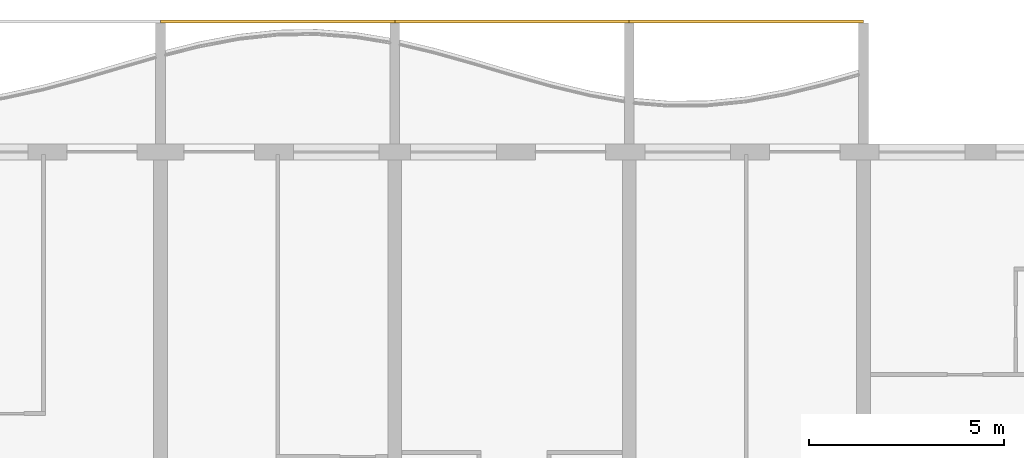
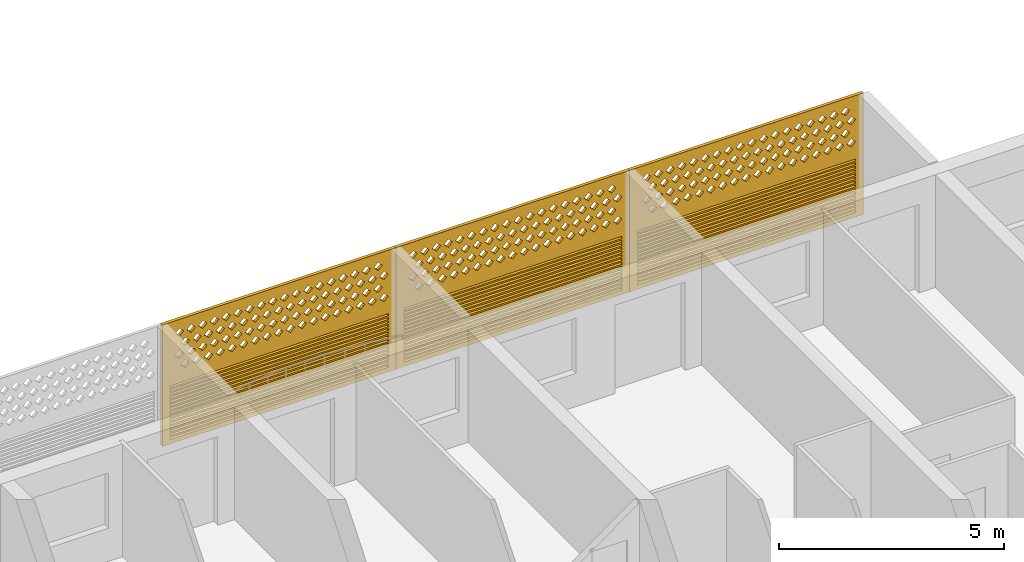
# One storey, part 21 of 27: 3 coverings.
"""IFC4 building model written with IfcOpenShell, lengths in metres."""

import ifcopenshell
import ifcopenshell.guid

model = None  # the IFC model being written
_history = None  # IfcOwnerHistory: only IFC2X3 demands one
_inside = {}  # id of a spatial element -> (the spatial element, [elements in it])
_under = {}  # id of a project, library or spatial element -> (it, [spatial elements below it])
_declared = {}  # id of a project -> (the project, [libraries it declares])
_typed = {}  # id of a type object -> (the type object, [elements of that type])
_made_of = {}  # id of a material, layer set ... -> (it, [elements and type objects made of it])


def new_model(schema):
    """Start an empty IFC model of exactly this schema.

    Asked for "IFC4X3", IfcOpenShell would pick the latest addendum, in which some entities
    have other attributes; the version numbers below select the first issue.
    IFC2X3 requires an IfcOwnerHistory on every rooted entity: one is made here for all.
    """
    global model, _history
    if schema == "IFC4X3":
        model = ifcopenshell.file(schema_version=(4, 3, 0, 0))
    else:
        model = ifcopenshell.file(schema=schema)
    _inside.clear()
    _under.clear()
    _declared.clear()
    _typed.clear()
    _made_of.clear()
    _history = None
    if model.schema == "IFC2X3":
        org = make("IfcOrganization", Name="unknown")
        user = make(
            "IfcPersonAndOrganization",
            ThePerson=make("IfcPerson", FamilyName="unknown"),
            TheOrganization=org,
        )
        app = make(
            "IfcApplication",
            ApplicationDeveloper=org,
            Version="unknown",
            ApplicationFullName="unknown",
            ApplicationIdentifier="unknown",
        )
        _history = make(
            "IfcOwnerHistory",
            OwningUser=user,
            OwningApplication=app,
            ChangeAction="ADDED",
            CreationDate=0,
        )
    return model


def make(cls, **values):
    """One entity of the class cls with the attributes given. An attribute that is None is left unset."""
    return model.create_entity(
        cls, **{name: value for name, value in values.items() if value is not None}
    )


def rooted(cls, **values):
    """An entity with a GlobalId (a new one), such as an element, a storey or a relation."""
    return make(cls, GlobalId=ifcopenshell.guid.new(), OwnerHistory=_history, **values)


def si_unit(unit_type, name, prefix=None):
    """IfcSIUnit, for example si_unit("LENGTHUNIT", "METRE", prefix="MILLI")."""
    return make("IfcSIUnit", UnitType=unit_type, Prefix=prefix, Name=name)


def assignment(units):
    """IfcUnitAssignment: the units of a project."""
    return None if units is None else make("IfcUnitAssignment", Units=units)


def point(xyz):
    """IfcCartesianPoint."""
    return None if xyz is None else make("IfcCartesianPoint", Coordinates=xyz)


def direction(xyz):
    """IfcDirection."""
    return None if xyz is None else make("IfcDirection", DirectionRatios=xyz)


def frame(location, z_axis=None, x_axis=None):
    """IfcAxis2Placement3D, a coordinate frame: its origin and axes. An axis left out is left unset."""
    return make(
        "IfcAxis2Placement3D",
        Location=point(location),
        Axis=direction(z_axis),
        RefDirection=direction(x_axis),
    )


def origin():
    """The frame at (0, 0, 0) with its axes left unset."""
    return frame((0.0, 0.0, 0.0))


def place(relative_to, where):
    """IfcLocalPlacement: puts the frame where relative to a parent placement (None: the world)."""
    return make(
        "IfcLocalPlacement", PlacementRelTo=relative_to, RelativePlacement=where
    )


def context(
    kind, dimensions, precision=None, world=None, true_north=None, identifier=None
):
    """IfcGeometricRepresentationContext, for example the 3D "Model" context."""
    return make(
        "IfcGeometricRepresentationContext",
        ContextIdentifier=identifier,
        ContextType=kind,
        CoordinateSpaceDimension=dimensions,
        Precision=precision,
        WorldCoordinateSystem=world,
        TrueNorth=true_north,
    )


def subcontext(parent, identifier, kind, view, scale=None):
    """IfcGeometricRepresentationSubContext, for example "Body" below "Model"."""
    return make(
        "IfcGeometricRepresentationSubContext",
        ContextIdentifier=identifier,
        ContextType=kind,
        ParentContext=parent,
        TargetScale=scale,
        TargetView=view,
    )


def project(units=None, contexts=None):
    """IfcProject with its units and contexts."""
    return rooted(
        "IfcProject",
        Name="project",
        RepresentationContexts=contexts,
        UnitsInContext=assignment(units),
    )


def spatial(cls, under=None, at=None, **own):
    """A site, building, storey or space (cls), placed at a placement, below another one or the project."""
    s = rooted(cls, ObjectPlacement=at, **own)
    if under is not None:
        _under.setdefault(under.id(), (under, []))[1].append(s)
    return s


def polyline(points):
    """IfcPolyline through the points."""
    return make("IfcPolyline", Points=[point(p) for p in points])


def outline(outer, holes=None, kind="AREA"):
    """IfcArbitraryClosedProfileDef: a profile drawn as a closed curve; with holes, ...WithVoids."""
    if holes is None:
        return make("IfcArbitraryClosedProfileDef", ProfileType=kind, OuterCurve=outer)
    return make(
        "IfcArbitraryProfileDefWithVoids",
        ProfileType=kind,
        OuterCurve=outer,
        InnerCurves=holes,
    )


def extrude(swept, where, along, depth):
    """IfcExtrudedAreaSolid: the profile swept, set in the frame where, extruded along a direction by depth."""
    return make(
        "IfcExtrudedAreaSolid",
        SweptArea=swept,
        Position=where,
        ExtrudedDirection=direction(along),
        Depth=depth,
    )


def shape(context_of_items, identifier, shape_type, items):
    """IfcShapeRepresentation: the items that make up one representation, for example the "Body"."""
    return make(
        "IfcShapeRepresentation",
        ContextOfItems=context_of_items,
        RepresentationIdentifier=identifier,
        RepresentationType=shape_type,
        Items=items,
    )


def source(mapping_origin, context_of_items, identifier, shape_type, items):
    """IfcRepresentationMap: a shape defined once, which mapped items show again and again."""
    return make(
        "IfcRepresentationMap",
        MappingOrigin=mapping_origin,
        MappedRepresentation=shape(context_of_items, identifier, shape_type, items),
    )


def transform(
    local_origin,
    x_axis=None,
    y_axis=None,
    z_axis=None,
    scale=None,
    scale2=None,
    scale3=None,
    uniform=True,
):
    """IfcCartesianTransformationOperator3D, or its non-uniform kind. x_axis, y_axis, z_axis: its Axis1, 2, 3."""
    if uniform:
        return make(
            "IfcCartesianTransformationOperator3D",
            Axis1=direction(x_axis),
            Axis2=direction(y_axis),
            LocalOrigin=point(local_origin),
            Scale=scale,
            Axis3=direction(z_axis),
        )
    return make(
        "IfcCartesianTransformationOperator3DnonUniform",
        Axis1=direction(x_axis),
        Axis2=direction(y_axis),
        LocalOrigin=point(local_origin),
        Scale=scale,
        Axis3=direction(z_axis),
        Scale2=scale2,
        Scale3=scale3,
    )


def mapped(mapping_source, mapping_target):
    """IfcMappedItem: shows the shape of a source again, moved by a transform."""
    return make(
        "IfcMappedItem", MappingSource=mapping_source, MappingTarget=mapping_target
    )


def material(Name=None, Category=None):
    """IfcMaterial."""
    return make("IfcMaterial", Name=Name, Category=Category)


def material_profile(
    of_material, cross_section, Name=None, Category=None, Priority=None
):
    """IfcMaterialProfile: a cross section and its material."""
    return make(
        "IfcMaterialProfile",
        Name=Name,
        Material=of_material,
        Profile=cross_section,
        Priority=Priority,
        Category=Category,
    )


def profile_set(profiles, Name=None, composite=None):
    """IfcMaterialProfileSet."""
    return make(
        "IfcMaterialProfileSet",
        Name=Name,
        MaterialProfiles=profiles,
        CompositeProfile=composite,
    )


def made_of(thing, what):
    """Note that an element or type object is made of a material, layer set ...; save() writes the relation."""
    if what is not None:
        _made_of.setdefault(what.id(), (what, []))[1].append(thing)
    return thing


def type_object(cls, material=None, **own):
    """A type object (cls), such as IfcWallType, which elements share."""
    return made_of(rooted(cls, **own), material)


def element(
    cls,
    number,
    at=None,
    inside=None,
    cuts=None,
    type_object=None,
    material=None,
    context=None,
    identifier="Body",
    shape_type=None,
    held_by="IfcProductDefinitionShape",
    body=None,
    shapes=None,
    **own,
):
    """One element of the class cls, such as IfcWall. Its Tag is "e" and its number.

    at: its placement. inside: the storey or other place that contains it. cuts: it is an
    opening in that element (IfcRelVoidsElement). A single representation is given by context,
    identifier, shape_type and body (its items); several are given by shapes. held_by: the class
    of the entity that holds the representations. save() writes the other relations.
    """
    e = rooted(cls, Tag="e%d" % number, ObjectPlacement=at, **own)
    if body is not None:
        shapes = [shape(context, identifier, shape_type, body)]
    if shapes is not None:
        e.Representation = make(held_by, Representations=shapes)
    if inside is not None:
        _inside.setdefault(inside.id(), (inside, []))[1].append(e)
    if cuts is not None:
        rooted(
            "IfcRelVoidsElement", RelatingBuildingElement=cuts, RelatedOpeningElement=e
        )
    if type_object is not None:
        _typed.setdefault(type_object.id(), (type_object, []))[1].append(e)
    return made_of(e, material)


def aggregate(whole, parts):
    """IfcRelAggregates: a whole, such as a stair, and the parts it consists of."""
    return rooted("IfcRelAggregates", RelatingObject=whole, RelatedObjects=parts)


def save(model, path):
    """Write the relations noted so far, then the file.

    IfcRelAggregates (storeys below a building ...), IfcRelContainedInSpatialStructure (elements
    in a storey), IfcRelDefinesByType, IfcRelAssociatesMaterial and IfcRelDeclares: one each for
    every whole, place, type object, material and project.
    """
    for whole, parts in _under.values():
        aggregate(whole, parts)
    for where, things in _inside.values():
        rooted(
            "IfcRelContainedInSpatialStructure",
            RelatedElements=things,
            RelatingStructure=where,
        )
    for kind, things in _typed.values():
        rooted("IfcRelDefinesByType", RelatedObjects=things, RelatingType=kind)
    for what, things in _made_of.values():
        rooted("IfcRelAssociatesMaterial", RelatedObjects=things, RelatingMaterial=what)
    for by, libraries in _declared.values():
        rooted("IfcRelDeclares", RelatingContext=by, RelatedDefinitions=libraries)
    model.write(path)


model = new_model("IFC4")

# Units and contexts
model_context = context("Model", 3, precision=1e-05, world=origin(), true_north=direction((0.0, 1.0)))
body_context = subcontext(model_context, "Body", "Model", "MODEL_VIEW")
ifc_project = project(units=[si_unit("LENGTHUNIT", "METRE"), si_unit("AREAUNIT", "SQUARE_METRE"), si_unit("VOLUMEUNIT", "CUBIC_METRE"), si_unit("PLANEANGLEUNIT", "RADIAN"), si_unit("MASSUNIT", "GRAM", prefix="KILO")], contexts=[model_context])

# Site, building, storey
site_placement = place(None, origin())
site = spatial("IfcSite", under=ifc_project, at=site_placement, CompositionType="ELEMENT")
building_placement = place(site_placement, origin())
building = spatial("IfcBuilding", under=site, at=building_placement, Name="Poui Terraces", CompositionType="ELEMENT")
storey_placement = place(building_placement, frame((0.0, 0.0, 76.199951171875)))
storey = spatial("IfcBuildingStorey", under=building, at=storey_placement, Name="L20", CompositionType="ELEMENT", Elevation=76.199951171875)

# Coverings
ifc_material = material(Name="Terracotta screen", Category="masonry")
ifc_material_profile = material_profile(ifc_material, outline(polyline([(-3.0, -1.64990234375), (3.0, -1.64990234375), (3.0, 1.64990234375), (-3.0, 1.64990234375), (-3.0, -1.64990234375)]), holes=[polyline([(-2.800048828125, 0.39990234375), (-2.68994140625, 0.2900390625), (-2.580078125, 0.39990234375), (-2.68994140625, 0.510009765625), (-2.800048828125, 0.39990234375)]), polyline([(-2.5, 0.39990234375), (-2.389892578125, 0.2900390625), (-2.280029296875, 0.39990234375), (-2.389892578125, 0.510009765625), (-2.5, 0.39990234375)]), polyline([(-2.199951171875, 0.39990234375), (-2.090087890625, 0.2900390625), (-1.97998046875, 0.39990234375), (-2.090087890625, 0.510009765625), (-2.199951171875, 0.39990234375)]), polyline([(-1.89990234375, 0.39990234375), (-1.7900390625, 0.2900390625), (-1.679931640625, 0.39990234375), (-1.7900390625, 0.510009765625), (-1.89990234375, 0.39990234375)]), polyline([(-1.60009765625, 0.39990234375), (-1.489990234375, 0.2900390625), (-1.3798828125, 0.39990234375), (-1.489990234375, 0.510009765625), (-1.60009765625, 0.39990234375)]), polyline([(-1.300048828125, 0.39990234375), (-1.18994140625, 0.2900390625), (-1.080078125, 0.39990234375), (-1.18994140625, 0.510009765625), (-1.300048828125, 0.39990234375)]), polyline([(-1.0, 0.39990234375), (-0.889892578125, 0.2900390625), (-0.780029296875, 0.39990234375), (-0.889892578125, 0.510009765625), (-1.0, 0.39990234375)]), polyline([(-0.699951171875, 0.39990234375), (-0.590087890625, 0.2900390625), (-0.47998046875, 0.39990234375), (-0.590087890625, 0.510009765625), (-0.699951171875, 0.39990234375)]), polyline([(-0.39990234375, 0.39990234375), (-0.2900390625, 0.2900390625), (-0.179931640625, 0.39990234375), (-0.2900390625, 0.510009765625), (-0.39990234375, 0.39990234375)]), polyline([(-0.10009765625, 0.39990234375), (0.010009765625, 0.2900390625), (0.1201171875, 0.39990234375), (0.010009765625, 0.510009765625), (-0.10009765625, 0.39990234375)]), polyline([(0.199951171875, 0.39990234375), (0.31005859375, 0.2900390625), (0.419921875, 0.39990234375), (0.31005859375, 0.510009765625), (0.199951171875, 0.39990234375)]), polyline([(0.5, 0.39990234375), (0.610107421875, 0.2900390625), (0.719970703125, 0.39990234375), (0.610107421875, 0.510009765625), (0.5, 0.39990234375)]), polyline([(0.800048828125, 0.39990234375), (0.909912109375, 0.2900390625), (1.02001953125, 0.39990234375), (0.909912109375, 0.510009765625), (0.800048828125, 0.39990234375)]), polyline([(1.10009765625, 0.39990234375), (1.2099609375, 0.2900390625), (1.320068359375, 0.39990234375), (1.2099609375, 0.510009765625), (1.10009765625, 0.39990234375)]), polyline([(1.39990234375, 0.39990234375), (1.510009765625, 0.2900390625), (1.6201171875, 0.39990234375), (1.510009765625, 0.510009765625), (1.39990234375, 0.39990234375)]), polyline([(1.699951171875, 0.39990234375), (1.81005859375, 0.2900390625), (1.919921875, 0.39990234375), (1.81005859375, 0.510009765625), (1.699951171875, 0.39990234375)]), polyline([(2.0, 0.39990234375), (2.110107421875, 0.2900390625), (2.219970703125, 0.39990234375), (2.110107421875, 0.510009765625), (2.0, 0.39990234375)]), polyline([(2.300048828125, 0.39990234375), (2.409912109375, 0.2900390625), (2.52001953125, 0.39990234375), (2.409912109375, 0.510009765625), (2.300048828125, 0.39990234375)]), polyline([(-2.64990234375, 0.699951171875), (-2.5400390625, 0.590087890625), (-2.429931640625, 0.699951171875), (-2.5400390625, 0.81005859375), (-2.64990234375, 0.699951171875)]), polyline([(-2.35009765625, 0.699951171875), (-2.239990234375, 0.590087890625), (-2.1298828125, 0.699951171875), (-2.239990234375, 0.81005859375), (-2.35009765625, 0.699951171875)]), polyline([(-2.050048828125, 0.699951171875), (-1.93994140625, 0.590087890625), (-1.830078125, 0.699951171875), (-1.93994140625, 0.81005859375), (-2.050048828125, 0.699951171875)]), polyline([(-1.75, 0.699951171875), (-1.639892578125, 0.590087890625), (-1.530029296875, 0.699951171875), (-1.639892578125, 0.81005859375), (-1.75, 0.699951171875)]), polyline([(-1.449951171875, 0.699951171875), (-1.340087890625, 0.590087890625), (-1.22998046875, 0.699951171875), (-1.340087890625, 0.81005859375), (-1.449951171875, 0.699951171875)]), polyline([(-1.14990234375, 0.699951171875), (-1.0400390625, 0.590087890625), (-0.929931640625, 0.699951171875), (-1.0400390625, 0.81005859375), (-1.14990234375, 0.699951171875)]), polyline([(-0.85009765625, 0.699951171875), (-0.739990234375, 0.590087890625), (-0.6298828125, 0.699951171875), (-0.739990234375, 0.81005859375), (-0.85009765625, 0.699951171875)]), polyline([(-0.550048828125, 0.699951171875), (-0.43994140625, 0.590087890625), (-0.330078125, 0.699951171875), (-0.43994140625, 0.81005859375), (-0.550048828125, 0.699951171875)]), polyline([(-0.25, 0.699951171875), (-0.139892578125, 0.590087890625), (-0.030029296875, 0.699951171875), (-0.139892578125, 0.81005859375), (-0.25, 0.699951171875)]), polyline([(0.050048828125, 0.699951171875), (0.159912109375, 0.590087890625), (0.27001953125, 0.699951171875), (0.159912109375, 0.81005859375), (0.050048828125, 0.699951171875)]), polyline([(0.35009765625, 0.699951171875), (0.4599609375, 0.590087890625), (0.570068359375, 0.699951171875), (0.4599609375, 0.81005859375), (0.35009765625, 0.699951171875)]), polyline([(0.64990234375, 0.699951171875), (0.760009765625, 0.590087890625), (0.8701171875, 0.699951171875), (0.760009765625, 0.81005859375), (0.64990234375, 0.699951171875)]), polyline([(0.949951171875, 0.699951171875), (1.06005859375, 0.590087890625), (1.169921875, 0.699951171875), (1.06005859375, 0.81005859375), (0.949951171875, 0.699951171875)]), polyline([(1.25, 0.699951171875), (1.360107421875, 0.590087890625), (1.469970703125, 0.699951171875), (1.360107421875, 0.81005859375), (1.25, 0.699951171875)]), polyline([(1.550048828125, 0.699951171875), (1.659912109375, 0.590087890625), (1.77001953125, 0.699951171875), (1.659912109375, 0.81005859375), (1.550048828125, 0.699951171875)]), polyline([(1.85009765625, 0.699951171875), (1.9599609375, 0.590087890625), (2.070068359375, 0.699951171875), (1.9599609375, 0.81005859375), (1.85009765625, 0.699951171875)]), polyline([(2.14990234375, 0.699951171875), (2.260009765625, 0.590087890625), (2.3701171875, 0.699951171875), (2.260009765625, 0.81005859375), (2.14990234375, 0.699951171875)]), polyline([(2.449951171875, 0.699951171875), (2.56005859375, 0.590087890625), (2.669921875, 0.699951171875), (2.56005859375, 0.81005859375), (2.449951171875, 0.699951171875)]), polyline([(-2.800048828125, 1.0), (-2.68994140625, 0.889892578125), (-2.580078125, 1.0), (-2.68994140625, 1.110107421875), (-2.800048828125, 1.0)]), polyline([(-2.5, 1.0), (-2.389892578125, 0.889892578125), (-2.280029296875, 1.0), (-2.389892578125, 1.110107421875), (-2.5, 1.0)]), polyline([(-2.199951171875, 1.0), (-2.090087890625, 0.889892578125), (-1.97998046875, 1.0), (-2.090087890625, 1.110107421875), (-2.199951171875, 1.0)]), polyline([(-1.89990234375, 1.0), (-1.7900390625, 0.889892578125), (-1.679931640625, 1.0), (-1.7900390625, 1.110107421875), (-1.89990234375, 1.0)]), polyline([(-1.60009765625, 1.0), (-1.489990234375, 0.889892578125), (-1.3798828125, 1.0), (-1.489990234375, 1.110107421875), (-1.60009765625, 1.0)]), polyline([(-1.300048828125, 1.0), (-1.18994140625, 0.889892578125), (-1.080078125, 1.0), (-1.18994140625, 1.110107421875), (-1.300048828125, 1.0)]), polyline([(-1.0, 1.0), (-0.889892578125, 0.889892578125), (-0.780029296875, 1.0), (-0.889892578125, 1.110107421875), (-1.0, 1.0)]), polyline([(-0.699951171875, 1.0), (-0.590087890625, 0.889892578125), (-0.47998046875, 1.0), (-0.590087890625, 1.110107421875), (-0.699951171875, 1.0)]), polyline([(-0.39990234375, 1.0), (-0.2900390625, 0.889892578125), (-0.179931640625, 1.0), (-0.2900390625, 1.110107421875), (-0.39990234375, 1.0)]), polyline([(-0.10009765625, 1.0), (0.010009765625, 0.889892578125), (0.1201171875, 1.0), (0.010009765625, 1.110107421875), (-0.10009765625, 1.0)]), polyline([(0.199951171875, 1.0), (0.31005859375, 0.889892578125), (0.419921875, 1.0), (0.31005859375, 1.110107421875), (0.199951171875, 1.0)]), polyline([(0.5, 1.0), (0.610107421875, 0.889892578125), (0.719970703125, 1.0), (0.610107421875, 1.110107421875), (0.5, 1.0)]), polyline([(0.800048828125, 1.0), (0.909912109375, 0.889892578125), (1.02001953125, 1.0), (0.909912109375, 1.110107421875), (0.800048828125, 1.0)]), polyline([(1.10009765625, 1.0), (1.2099609375, 0.889892578125), (1.320068359375, 1.0), (1.2099609375, 1.110107421875), (1.10009765625, 1.0)]), polyline([(1.39990234375, 1.0), (1.510009765625, 0.889892578125), (1.6201171875, 1.0), (1.510009765625, 1.110107421875), (1.39990234375, 1.0)]), polyline([(1.699951171875, 1.0), (1.81005859375, 0.889892578125), (1.919921875, 1.0), (1.81005859375, 1.110107421875), (1.699951171875, 1.0)]), polyline([(2.0, 1.0), (2.110107421875, 0.889892578125), (2.219970703125, 1.0), (2.110107421875, 1.110107421875), (2.0, 1.0)]), polyline([(2.300048828125, 1.0), (2.409912109375, 0.889892578125), (2.52001953125, 1.0), (2.409912109375, 1.110107421875), (2.300048828125, 1.0)]), polyline([(-2.64990234375, 1.300048828125), (-2.5400390625, 1.18994140625), (-2.429931640625, 1.300048828125), (-2.5400390625, 1.409912109375), (-2.64990234375, 1.300048828125)]), polyline([(-2.35009765625, 1.300048828125), (-2.239990234375, 1.18994140625), (-2.1298828125, 1.300048828125), (-2.239990234375, 1.409912109375), (-2.35009765625, 1.300048828125)]), polyline([(-2.050048828125, 1.300048828125), (-1.93994140625, 1.18994140625), (-1.830078125, 1.300048828125), (-1.93994140625, 1.409912109375), (-2.050048828125, 1.300048828125)]), polyline([(-1.75, 1.300048828125), (-1.639892578125, 1.18994140625), (-1.530029296875, 1.300048828125), (-1.639892578125, 1.409912109375), (-1.75, 1.300048828125)]), polyline([(-1.449951171875, 1.300048828125), (-1.340087890625, 1.18994140625), (-1.22998046875, 1.300048828125), (-1.340087890625, 1.409912109375), (-1.449951171875, 1.300048828125)]), polyline([(-1.14990234375, 1.300048828125), (-1.0400390625, 1.18994140625), (-0.929931640625, 1.300048828125), (-1.0400390625, 1.409912109375), (-1.14990234375, 1.300048828125)]), polyline([(-0.85009765625, 1.300048828125), (-0.739990234375, 1.18994140625), (-0.6298828125, 1.300048828125), (-0.739990234375, 1.409912109375), (-0.85009765625, 1.300048828125)]), polyline([(-0.550048828125, 1.300048828125), (-0.43994140625, 1.18994140625), (-0.330078125, 1.300048828125), (-0.43994140625, 1.409912109375), (-0.550048828125, 1.300048828125)]), polyline([(-0.25, 1.300048828125), (-0.139892578125, 1.18994140625), (-0.030029296875, 1.300048828125), (-0.139892578125, 1.409912109375), (-0.25, 1.300048828125)]), polyline([(0.050048828125, 1.300048828125), (0.159912109375, 1.18994140625), (0.27001953125, 1.300048828125), (0.159912109375, 1.409912109375), (0.050048828125, 1.300048828125)]), polyline([(0.35009765625, 1.300048828125), (0.4599609375, 1.18994140625), (0.570068359375, 1.300048828125), (0.4599609375, 1.409912109375), (0.35009765625, 1.300048828125)]), polyline([(0.64990234375, 1.300048828125), (0.760009765625, 1.18994140625), (0.8701171875, 1.300048828125), (0.760009765625, 1.409912109375), (0.64990234375, 1.300048828125)]), polyline([(0.949951171875, 1.300048828125), (1.06005859375, 1.18994140625), (1.169921875, 1.300048828125), (1.06005859375, 1.409912109375), (0.949951171875, 1.300048828125)]), polyline([(1.25, 1.300048828125), (1.360107421875, 1.18994140625), (1.469970703125, 1.300048828125), (1.360107421875, 1.409912109375), (1.25, 1.300048828125)]), polyline([(1.550048828125, 1.300048828125), (1.659912109375, 1.18994140625), (1.77001953125, 1.300048828125), (1.659912109375, 1.409912109375), (1.550048828125, 1.300048828125)]), polyline([(1.85009765625, 1.300048828125), (1.9599609375, 1.18994140625), (2.070068359375, 1.300048828125), (1.9599609375, 1.409912109375), (1.85009765625, 1.300048828125)]), polyline([(2.14990234375, 1.300048828125), (2.260009765625, 1.18994140625), (2.3701171875, 1.300048828125), (2.260009765625, 1.409912109375), (2.14990234375, 1.300048828125)]), polyline([(2.449951171875, 1.300048828125), (2.56005859375, 1.18994140625), (2.669921875, 1.300048828125), (2.56005859375, 1.409912109375), (2.449951171875, 1.300048828125)]), polyline([(-2.800048828125, -1.530029296875), (2.800048828125, -1.530029296875), (2.800048828125, -1.469970703125), (-2.800048828125, -1.469970703125), (-2.800048828125, -1.530029296875)]), polyline([(-2.800048828125, -1.429931640625), (2.800048828125, -1.429931640625), (2.800048828125, -1.3701171875), (-2.800048828125, -1.3701171875), (-2.800048828125, -1.429931640625)]), polyline([(-2.800048828125, -1.330078125), (2.800048828125, -1.330078125), (2.800048828125, -1.27001953125), (-2.800048828125, -1.27001953125), (-2.800048828125, -1.330078125)]), polyline([(-2.800048828125, -1.22998046875), (2.800048828125, -1.22998046875), (2.800048828125, -1.169921875), (-2.800048828125, -1.169921875), (-2.800048828125, -1.22998046875)]), polyline([(-2.800048828125, -1.1298828125), (2.800048828125, -1.1298828125), (2.800048828125, -1.070068359375), (-2.800048828125, -1.070068359375), (-2.800048828125, -1.1298828125)]), polyline([(-2.800048828125, -1.030029296875), (2.800048828125, -1.030029296875), (2.800048828125, -0.969970703125), (-2.800048828125, -0.969970703125), (-2.800048828125, -1.030029296875)]), polyline([(-2.800048828125, -0.929931640625), (2.800048828125, -0.929931640625), (2.800048828125, -0.8701171875), (-2.800048828125, -0.8701171875), (-2.800048828125, -0.929931640625)]), polyline([(-2.800048828125, -0.830078125), (2.800048828125, -0.830078125), (2.800048828125, -0.77001953125), (-2.800048828125, -0.77001953125), (-2.800048828125, -0.830078125)]), polyline([(-2.800048828125, -0.72998046875), (2.800048828125, -0.72998046875), (2.800048828125, -0.669921875), (-2.800048828125, -0.669921875), (-2.800048828125, -0.72998046875)]), polyline([(-2.800048828125, -0.6298828125), (2.800048828125, -0.6298828125), (2.800048828125, -0.570068359375), (-2.800048828125, -0.570068359375), (-2.800048828125, -0.6298828125)]), polyline([(-2.800048828125, -0.530029296875), (2.800048828125, -0.530029296875), (2.800048828125, -0.469970703125), (-2.800048828125, -0.469970703125), (-2.800048828125, -0.530029296875)]), polyline([(-2.800048828125, -0.429931640625), (2.800048828125, -0.429931640625), (2.800048828125, -0.3701171875), (-2.800048828125, -0.3701171875), (-2.800048828125, -0.429931640625)]), polyline([(-2.800048828125, -0.330078125), (2.800048828125, -0.330078125), (2.800048828125, -0.27001953125), (-2.800048828125, -0.27001953125), (-2.800048828125, -0.330078125)]), polyline([(-2.800048828125, -0.22998046875), (2.800048828125, -0.22998046875), (2.800048828125, -0.169921875), (-2.800048828125, -0.169921875), (-2.800048828125, -0.22998046875)]), polyline([(-2.800048828125, -0.1298828125), (2.800048828125, -0.1298828125), (2.800048828125, -0.070068359375), (-2.800048828125, -0.070068359375), (-2.800048828125, -0.1298828125)])]), Name="TERRACOTTA SCREEN AND JALOUSIE LOUVRE 6000X3300")
ifc_profile_set = profile_set([ifc_material_profile], Name="Terracotta screen")
covering_type = type_object("IfcCoveringType", Name="TERRACOTTA SCREEN AND JALOUSIE LOUVRE 6000X3300", PredefinedType="CLADDING", material=ifc_profile_set)
shared_shape = source(origin(), body_context, "Body", "SweptSolid", [
    extrude(outline(polyline([(-3.0, -1.64990234375), (3.0, -1.64990234375), (3.0, 1.64990234375), (-3.0, 1.64990234375), (-3.0, -1.64990234375)]), holes=[polyline([(-2.800048828125, 0.39990234375), (-2.68994140625, 0.2900390625), (-2.580078125, 0.39990234375), (-2.68994140625, 0.510009765625), (-2.800048828125, 0.39990234375)]), polyline([(-2.5, 0.39990234375), (-2.389892578125, 0.2900390625), (-2.280029296875, 0.39990234375), (-2.389892578125, 0.510009765625), (-2.5, 0.39990234375)]), polyline([(-2.199951171875, 0.39990234375), (-2.090087890625, 0.2900390625), (-1.97998046875, 0.39990234375), (-2.090087890625, 0.510009765625), (-2.199951171875, 0.39990234375)]), polyline([(-1.89990234375, 0.39990234375), (-1.7900390625, 0.2900390625), (-1.679931640625, 0.39990234375), (-1.7900390625, 0.510009765625), (-1.89990234375, 0.39990234375)]), polyline([(-1.60009765625, 0.39990234375), (-1.489990234375, 0.2900390625), (-1.3798828125, 0.39990234375), (-1.489990234375, 0.510009765625), (-1.60009765625, 0.39990234375)]), polyline([(-1.300048828125, 0.39990234375), (-1.18994140625, 0.2900390625), (-1.080078125, 0.39990234375), (-1.18994140625, 0.510009765625), (-1.300048828125, 0.39990234375)]), polyline([(-1.0, 0.39990234375), (-0.889892578125, 0.2900390625), (-0.780029296875, 0.39990234375), (-0.889892578125, 0.510009765625), (-1.0, 0.39990234375)]), polyline([(-0.699951171875, 0.39990234375), (-0.590087890625, 0.2900390625), (-0.47998046875, 0.39990234375), (-0.590087890625, 0.510009765625), (-0.699951171875, 0.39990234375)]), polyline([(-0.39990234375, 0.39990234375), (-0.2900390625, 0.2900390625), (-0.179931640625, 0.39990234375), (-0.2900390625, 0.510009765625), (-0.39990234375, 0.39990234375)]), polyline([(-0.10009765625, 0.39990234375), (0.010009765625, 0.2900390625), (0.1201171875, 0.39990234375), (0.010009765625, 0.510009765625), (-0.10009765625, 0.39990234375)]), polyline([(0.199951171875, 0.39990234375), (0.31005859375, 0.2900390625), (0.419921875, 0.39990234375), (0.31005859375, 0.510009765625), (0.199951171875, 0.39990234375)]), polyline([(0.5, 0.39990234375), (0.610107421875, 0.2900390625), (0.719970703125, 0.39990234375), (0.610107421875, 0.510009765625), (0.5, 0.39990234375)]), polyline([(0.800048828125, 0.39990234375), (0.909912109375, 0.2900390625), (1.02001953125, 0.39990234375), (0.909912109375, 0.510009765625), (0.800048828125, 0.39990234375)]), polyline([(1.10009765625, 0.39990234375), (1.2099609375, 0.2900390625), (1.320068359375, 0.39990234375), (1.2099609375, 0.510009765625), (1.10009765625, 0.39990234375)]), polyline([(1.39990234375, 0.39990234375), (1.510009765625, 0.2900390625), (1.6201171875, 0.39990234375), (1.510009765625, 0.510009765625), (1.39990234375, 0.39990234375)]), polyline([(1.699951171875, 0.39990234375), (1.81005859375, 0.2900390625), (1.919921875, 0.39990234375), (1.81005859375, 0.510009765625), (1.699951171875, 0.39990234375)]), polyline([(2.0, 0.39990234375), (2.110107421875, 0.2900390625), (2.219970703125, 0.39990234375), (2.110107421875, 0.510009765625), (2.0, 0.39990234375)]), polyline([(2.300048828125, 0.39990234375), (2.409912109375, 0.2900390625), (2.52001953125, 0.39990234375), (2.409912109375, 0.510009765625), (2.300048828125, 0.39990234375)]), polyline([(-2.64990234375, 0.699951171875), (-2.5400390625, 0.590087890625), (-2.429931640625, 0.699951171875), (-2.5400390625, 0.81005859375), (-2.64990234375, 0.699951171875)]), polyline([(-2.35009765625, 0.699951171875), (-2.239990234375, 0.590087890625), (-2.1298828125, 0.699951171875), (-2.239990234375, 0.81005859375), (-2.35009765625, 0.699951171875)]), polyline([(-2.050048828125, 0.699951171875), (-1.93994140625, 0.590087890625), (-1.830078125, 0.699951171875), (-1.93994140625, 0.81005859375), (-2.050048828125, 0.699951171875)]), polyline([(-1.75, 0.699951171875), (-1.639892578125, 0.590087890625), (-1.530029296875, 0.699951171875), (-1.639892578125, 0.81005859375), (-1.75, 0.699951171875)]), polyline([(-1.449951171875, 0.699951171875), (-1.340087890625, 0.590087890625), (-1.22998046875, 0.699951171875), (-1.340087890625, 0.81005859375), (-1.449951171875, 0.699951171875)]), polyline([(-1.14990234375, 0.699951171875), (-1.0400390625, 0.590087890625), (-0.929931640625, 0.699951171875), (-1.0400390625, 0.81005859375), (-1.14990234375, 0.699951171875)]), polyline([(-0.85009765625, 0.699951171875), (-0.739990234375, 0.590087890625), (-0.6298828125, 0.699951171875), (-0.739990234375, 0.81005859375), (-0.85009765625, 0.699951171875)]), polyline([(-0.550048828125, 0.699951171875), (-0.43994140625, 0.590087890625), (-0.330078125, 0.699951171875), (-0.43994140625, 0.81005859375), (-0.550048828125, 0.699951171875)]), polyline([(-0.25, 0.699951171875), (-0.139892578125, 0.590087890625), (-0.030029296875, 0.699951171875), (-0.139892578125, 0.81005859375), (-0.25, 0.699951171875)]), polyline([(0.050048828125, 0.699951171875), (0.159912109375, 0.590087890625), (0.27001953125, 0.699951171875), (0.159912109375, 0.81005859375), (0.050048828125, 0.699951171875)]), polyline([(0.35009765625, 0.699951171875), (0.4599609375, 0.590087890625), (0.570068359375, 0.699951171875), (0.4599609375, 0.81005859375), (0.35009765625, 0.699951171875)]), polyline([(0.64990234375, 0.699951171875), (0.760009765625, 0.590087890625), (0.8701171875, 0.699951171875), (0.760009765625, 0.81005859375), (0.64990234375, 0.699951171875)]), polyline([(0.949951171875, 0.699951171875), (1.06005859375, 0.590087890625), (1.169921875, 0.699951171875), (1.06005859375, 0.81005859375), (0.949951171875, 0.699951171875)]), polyline([(1.25, 0.699951171875), (1.360107421875, 0.590087890625), (1.469970703125, 0.699951171875), (1.360107421875, 0.81005859375), (1.25, 0.699951171875)]), polyline([(1.550048828125, 0.699951171875), (1.659912109375, 0.590087890625), (1.77001953125, 0.699951171875), (1.659912109375, 0.81005859375), (1.550048828125, 0.699951171875)]), polyline([(1.85009765625, 0.699951171875), (1.9599609375, 0.590087890625), (2.070068359375, 0.699951171875), (1.9599609375, 0.81005859375), (1.85009765625, 0.699951171875)]), polyline([(2.14990234375, 0.699951171875), (2.260009765625, 0.590087890625), (2.3701171875, 0.699951171875), (2.260009765625, 0.81005859375), (2.14990234375, 0.699951171875)]), polyline([(2.449951171875, 0.699951171875), (2.56005859375, 0.590087890625), (2.669921875, 0.699951171875), (2.56005859375, 0.81005859375), (2.449951171875, 0.699951171875)]), polyline([(-2.800048828125, 1.0), (-2.68994140625, 0.889892578125), (-2.580078125, 1.0), (-2.68994140625, 1.110107421875), (-2.800048828125, 1.0)]), polyline([(-2.5, 1.0), (-2.389892578125, 0.889892578125), (-2.280029296875, 1.0), (-2.389892578125, 1.110107421875), (-2.5, 1.0)]), polyline([(-2.199951171875, 1.0), (-2.090087890625, 0.889892578125), (-1.97998046875, 1.0), (-2.090087890625, 1.110107421875), (-2.199951171875, 1.0)]), polyline([(-1.89990234375, 1.0), (-1.7900390625, 0.889892578125), (-1.679931640625, 1.0), (-1.7900390625, 1.110107421875), (-1.89990234375, 1.0)]), polyline([(-1.60009765625, 1.0), (-1.489990234375, 0.889892578125), (-1.3798828125, 1.0), (-1.489990234375, 1.110107421875), (-1.60009765625, 1.0)]), polyline([(-1.300048828125, 1.0), (-1.18994140625, 0.889892578125), (-1.080078125, 1.0), (-1.18994140625, 1.110107421875), (-1.300048828125, 1.0)]), polyline([(-1.0, 1.0), (-0.889892578125, 0.889892578125), (-0.780029296875, 1.0), (-0.889892578125, 1.110107421875), (-1.0, 1.0)]), polyline([(-0.699951171875, 1.0), (-0.590087890625, 0.889892578125), (-0.47998046875, 1.0), (-0.590087890625, 1.110107421875), (-0.699951171875, 1.0)]), polyline([(-0.39990234375, 1.0), (-0.2900390625, 0.889892578125), (-0.179931640625, 1.0), (-0.2900390625, 1.110107421875), (-0.39990234375, 1.0)]), polyline([(-0.10009765625, 1.0), (0.010009765625, 0.889892578125), (0.1201171875, 1.0), (0.010009765625, 1.110107421875), (-0.10009765625, 1.0)]), polyline([(0.199951171875, 1.0), (0.31005859375, 0.889892578125), (0.419921875, 1.0), (0.31005859375, 1.110107421875), (0.199951171875, 1.0)]), polyline([(0.5, 1.0), (0.610107421875, 0.889892578125), (0.719970703125, 1.0), (0.610107421875, 1.110107421875), (0.5, 1.0)]), polyline([(0.800048828125, 1.0), (0.909912109375, 0.889892578125), (1.02001953125, 1.0), (0.909912109375, 1.110107421875), (0.800048828125, 1.0)]), polyline([(1.10009765625, 1.0), (1.2099609375, 0.889892578125), (1.320068359375, 1.0), (1.2099609375, 1.110107421875), (1.10009765625, 1.0)]), polyline([(1.39990234375, 1.0), (1.510009765625, 0.889892578125), (1.6201171875, 1.0), (1.510009765625, 1.110107421875), (1.39990234375, 1.0)]), polyline([(1.699951171875, 1.0), (1.81005859375, 0.889892578125), (1.919921875, 1.0), (1.81005859375, 1.110107421875), (1.699951171875, 1.0)]), polyline([(2.0, 1.0), (2.110107421875, 0.889892578125), (2.219970703125, 1.0), (2.110107421875, 1.110107421875), (2.0, 1.0)]), polyline([(2.300048828125, 1.0), (2.409912109375, 0.889892578125), (2.52001953125, 1.0), (2.409912109375, 1.110107421875), (2.300048828125, 1.0)]), polyline([(-2.64990234375, 1.300048828125), (-2.5400390625, 1.18994140625), (-2.429931640625, 1.300048828125), (-2.5400390625, 1.409912109375), (-2.64990234375, 1.300048828125)]), polyline([(-2.35009765625, 1.300048828125), (-2.239990234375, 1.18994140625), (-2.1298828125, 1.300048828125), (-2.239990234375, 1.409912109375), (-2.35009765625, 1.300048828125)]), polyline([(-2.050048828125, 1.300048828125), (-1.93994140625, 1.18994140625), (-1.830078125, 1.300048828125), (-1.93994140625, 1.409912109375), (-2.050048828125, 1.300048828125)]), polyline([(-1.75, 1.300048828125), (-1.639892578125, 1.18994140625), (-1.530029296875, 1.300048828125), (-1.639892578125, 1.409912109375), (-1.75, 1.300048828125)]), polyline([(-1.449951171875, 1.300048828125), (-1.340087890625, 1.18994140625), (-1.22998046875, 1.300048828125), (-1.340087890625, 1.409912109375), (-1.449951171875, 1.300048828125)]), polyline([(-1.14990234375, 1.300048828125), (-1.0400390625, 1.18994140625), (-0.929931640625, 1.300048828125), (-1.0400390625, 1.409912109375), (-1.14990234375, 1.300048828125)]), polyline([(-0.85009765625, 1.300048828125), (-0.739990234375, 1.18994140625), (-0.6298828125, 1.300048828125), (-0.739990234375, 1.409912109375), (-0.85009765625, 1.300048828125)]), polyline([(-0.550048828125, 1.300048828125), (-0.43994140625, 1.18994140625), (-0.330078125, 1.300048828125), (-0.43994140625, 1.409912109375), (-0.550048828125, 1.300048828125)]), polyline([(-0.25, 1.300048828125), (-0.139892578125, 1.18994140625), (-0.030029296875, 1.300048828125), (-0.139892578125, 1.409912109375), (-0.25, 1.300048828125)]), polyline([(0.050048828125, 1.300048828125), (0.159912109375, 1.18994140625), (0.27001953125, 1.300048828125), (0.159912109375, 1.409912109375), (0.050048828125, 1.300048828125)]), polyline([(0.35009765625, 1.300048828125), (0.4599609375, 1.18994140625), (0.570068359375, 1.300048828125), (0.4599609375, 1.409912109375), (0.35009765625, 1.300048828125)]), polyline([(0.64990234375, 1.300048828125), (0.760009765625, 1.18994140625), (0.8701171875, 1.300048828125), (0.760009765625, 1.409912109375), (0.64990234375, 1.300048828125)]), polyline([(0.949951171875, 1.300048828125), (1.06005859375, 1.18994140625), (1.169921875, 1.300048828125), (1.06005859375, 1.409912109375), (0.949951171875, 1.300048828125)]), polyline([(1.25, 1.300048828125), (1.360107421875, 1.18994140625), (1.469970703125, 1.300048828125), (1.360107421875, 1.409912109375), (1.25, 1.300048828125)]), polyline([(1.550048828125, 1.300048828125), (1.659912109375, 1.18994140625), (1.77001953125, 1.300048828125), (1.659912109375, 1.409912109375), (1.550048828125, 1.300048828125)]), polyline([(1.85009765625, 1.300048828125), (1.9599609375, 1.18994140625), (2.070068359375, 1.300048828125), (1.9599609375, 1.409912109375), (1.85009765625, 1.300048828125)]), polyline([(2.14990234375, 1.300048828125), (2.260009765625, 1.18994140625), (2.3701171875, 1.300048828125), (2.260009765625, 1.409912109375), (2.14990234375, 1.300048828125)]), polyline([(2.449951171875, 1.300048828125), (2.56005859375, 1.18994140625), (2.669921875, 1.300048828125), (2.56005859375, 1.409912109375), (2.449951171875, 1.300048828125)]), polyline([(-2.800048828125, -1.530029296875), (2.800048828125, -1.530029296875), (2.800048828125, -1.469970703125), (-2.800048828125, -1.469970703125), (-2.800048828125, -1.530029296875)]), polyline([(-2.800048828125, -1.429931640625), (2.800048828125, -1.429931640625), (2.800048828125, -1.3701171875), (-2.800048828125, -1.3701171875), (-2.800048828125, -1.429931640625)]), polyline([(-2.800048828125, -1.330078125), (2.800048828125, -1.330078125), (2.800048828125, -1.27001953125), (-2.800048828125, -1.27001953125), (-2.800048828125, -1.330078125)]), polyline([(-2.800048828125, -1.22998046875), (2.800048828125, -1.22998046875), (2.800048828125, -1.169921875), (-2.800048828125, -1.169921875), (-2.800048828125, -1.22998046875)]), polyline([(-2.800048828125, -1.1298828125), (2.800048828125, -1.1298828125), (2.800048828125, -1.070068359375), (-2.800048828125, -1.070068359375), (-2.800048828125, -1.1298828125)]), polyline([(-2.800048828125, -1.030029296875), (2.800048828125, -1.030029296875), (2.800048828125, -0.969970703125), (-2.800048828125, -0.969970703125), (-2.800048828125, -1.030029296875)]), polyline([(-2.800048828125, -0.929931640625), (2.800048828125, -0.929931640625), (2.800048828125, -0.8701171875), (-2.800048828125, -0.8701171875), (-2.800048828125, -0.929931640625)]), polyline([(-2.800048828125, -0.830078125), (2.800048828125, -0.830078125), (2.800048828125, -0.77001953125), (-2.800048828125, -0.77001953125), (-2.800048828125, -0.830078125)]), polyline([(-2.800048828125, -0.72998046875), (2.800048828125, -0.72998046875), (2.800048828125, -0.669921875), (-2.800048828125, -0.669921875), (-2.800048828125, -0.72998046875)]), polyline([(-2.800048828125, -0.6298828125), (2.800048828125, -0.6298828125), (2.800048828125, -0.570068359375), (-2.800048828125, -0.570068359375), (-2.800048828125, -0.6298828125)]), polyline([(-2.800048828125, -0.530029296875), (2.800048828125, -0.530029296875), (2.800048828125, -0.469970703125), (-2.800048828125, -0.469970703125), (-2.800048828125, -0.530029296875)]), polyline([(-2.800048828125, -0.429931640625), (2.800048828125, -0.429931640625), (2.800048828125, -0.3701171875), (-2.800048828125, -0.3701171875), (-2.800048828125, -0.429931640625)]), polyline([(-2.800048828125, -0.330078125), (2.800048828125, -0.330078125), (2.800048828125, -0.27001953125), (-2.800048828125, -0.27001953125), (-2.800048828125, -0.330078125)]), polyline([(-2.800048828125, -0.22998046875), (2.800048828125, -0.22998046875), (2.800048828125, -0.169921875), (-2.800048828125, -0.169921875), (-2.800048828125, -0.22998046875)]), polyline([(-2.800048828125, -0.1298828125), (2.800048828125, -0.1298828125), (2.800048828125, -0.070068359375), (-2.800048828125, -0.070068359375), (-2.800048828125, -0.1298828125)])]), origin(), (0.0, 0.0, 1.0), 0.080078125),
])
for number, where, z_axis, x_axis, name in (
    (1, (21.0, 46.89990234375, 1.449951171875), (0.0, 1.0, 0.0), (-1.0, 0.0, 0.0), "SOLAR SCREEN AND JALOUSIE LOUVRE"),
    (2, (27.0, 46.89990234375, 1.449951171875), (0.0, 1.0, 0.0), (-1.0, 0.0, 0.0), "SOLAR SCREEN AND JALOUSIE LOUVRE"),
    (3, (33.0, 46.89990234375, 1.449951171875), (0.0, 1.0, 0.0), (-1.0, 0.0, 0.0), "SOLAR SCREEN AND JALOUSIE LOUVRE"),
):
    element("IfcCovering", number, at=place(storey_placement, frame(where, z_axis=z_axis, x_axis=x_axis)), inside=storey, type_object=covering_type, Name=name, PredefinedType="CLADDING", context=body_context, shape_type="MappedRepresentation", body=[
        mapped(shared_shape, transform((0.0, 0.0, 0.0))),
    ])

save(model, "model.ifc")
